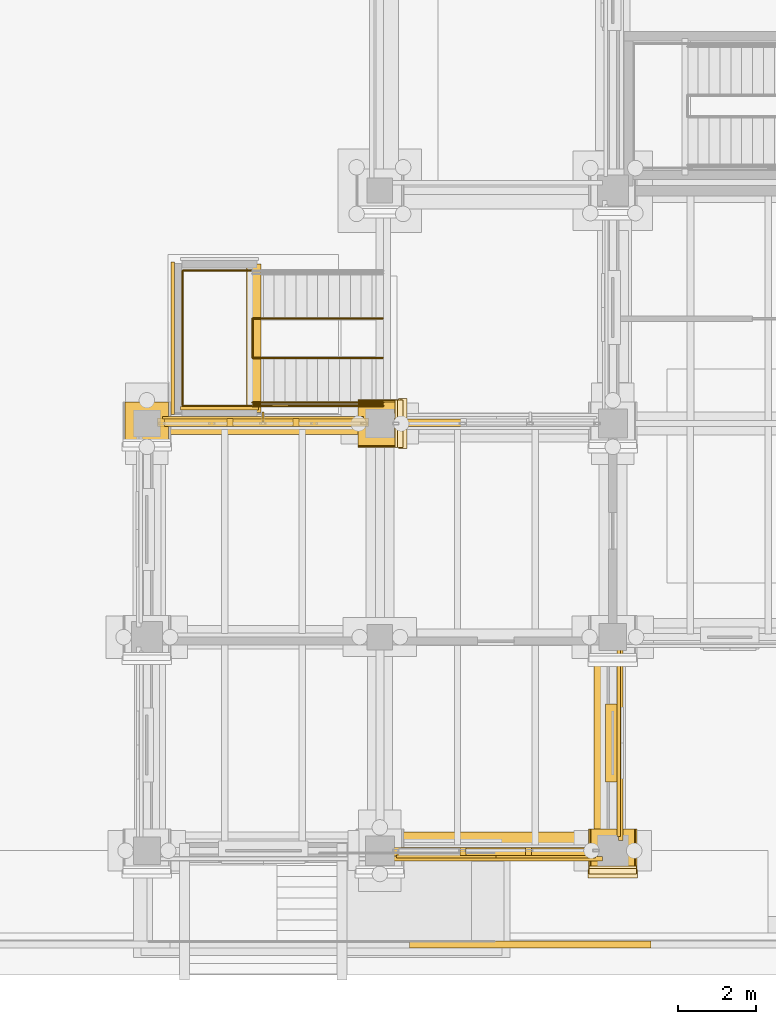
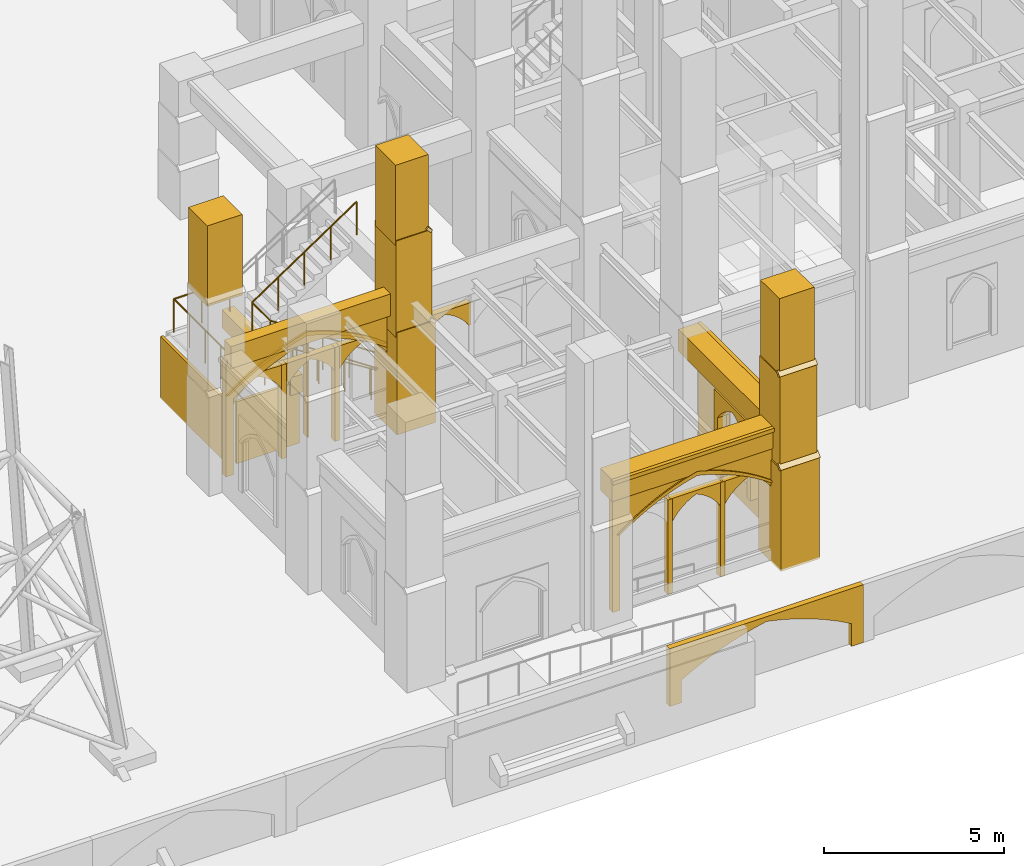
# One storey, part 104 of 135: 36 coverings, 4 railings, 1 shading device.
"""IFC4 building model written with IfcOpenShell, lengths in metres."""

from ifc_helpers import new_model, si_unit, direction, frame, origin, origin_2d, place, context, subcontext, project, spatial, polyline, rectangle, circle, outline, extrude, material, type_object, element, save


model = new_model("IFC4")

# Units and contexts
model_context = context("Model", 3, precision=1e-05, world=origin(), true_north=direction((0.0, 1.0)))
body_context = subcontext(model_context, "Body", "Model", "MODEL_VIEW")
ifc_project = project(units=[si_unit("LENGTHUNIT", "METRE"), si_unit("AREAUNIT", "SQUARE_METRE"), si_unit("VOLUMEUNIT", "CUBIC_METRE"), si_unit("PLANEANGLEUNIT", "RADIAN"), si_unit("MASSUNIT", "GRAM", prefix="KILO")], contexts=[model_context])

# Site, building, storey
site_placement = place(None, origin())
site = spatial("IfcSite", under=ifc_project, at=site_placement, CompositionType="ELEMENT")
building_placement = place(site_placement, origin())
building = spatial("IfcBuilding", under=site, at=building_placement, Name="Cumevento Cable Car Station", CompositionType="ELEMENT")
storey_placement = place(building_placement, origin())
storey = spatial("IfcBuildingStorey", under=building, at=storey_placement, Name="L01", CompositionType="ELEMENT", Elevation=0.0)

# Railings
ifc_material_1 = material(Name="Painted Galvanised Architectural Steel", Category="steel")
railing_type_1 = type_object("IfcRailingType", Name="Stair Guardrail GR-S115", PredefinedType="GUARDRAIL", material=ifc_material_1)
railing_1_placement = place(storey_placement, frame((112.080078125, 16.68994140625, 0.0)))
element("IfcRailing", 1, at=railing_1_placement, inside=storey, type_object=railing_type_1, Name="Stair Well Inner Guardrail ST-15", PredefinedType="GUARDRAIL", context=body_context, shape_type="SweptSolid", body=[
    extrude(circle(Radius=0.02392578125, at=origin_2d()), frame((0.0, 0.0, 1.1259765625), z_axis=(-0.830915400975, 0.0, 0.556398774641), x_axis=(0.0, -1.0, 0.0)), (0.0, 0.0, 1.0), 4.0439453125),
    extrude(circle(Radius=0.02392578125, at=origin_2d()), frame((-3.360107421875, 0.0, 3.3759765625), z_axis=(0.0, 1.0, 0.0), x_axis=(-1.0, 0.0, 0.0)), (0.0, 0.0, 1.0), 1.02001953125),
    extrude(circle(Radius=0.02392578125, at=origin_2d()), frame((-3.360107421875, 1.02001953125, 3.3759765625), z_axis=(0.830915400975, 0.0, 0.556398774641), x_axis=(0.0, 1.0, 0.0)), (0.0, 0.0, 1.0), 4.0439453125),
    extrude(circle(Radius=0.02001953125, at=origin_2d()), origin(), (0.0, 0.0, 1.0), 1.101806640625),
    extrude(circle(Radius=0.02001953125, at=origin_2d()), frame((-0.840087890625, 0.0, 0.5625)), (0.0, 0.0, 1.0), 1.101806640625),
    extrude(circle(Radius=0.02001953125, at=origin_2d()), frame((-1.68017578125, 0.0, 1.125)), (0.0, 0.0, 1.0), 1.101806640625),
    extrude(circle(Radius=0.02001953125, at=origin_2d()), frame((-2.52001953125, 0.0, 1.6875)), (0.0, 0.0, 1.0), 1.101806640625),
    extrude(circle(Radius=0.02001953125, at=origin_2d()), frame((-3.360107421875, 0.0, 2.25)), (0.0, 0.0, 1.0), 1.101806640625),
    extrude(circle(Radius=0.02001953125, at=origin_2d()), frame((-3.360107421875, 1.02001953125, 2.25)), (0.0, 0.0, 1.0), 1.101806640625),
    extrude(circle(Radius=0.02001953125, at=origin_2d()), frame((-2.52001953125, 1.02001953125, 2.8125)), (0.0, 0.0, 1.0), 1.101806640625),
    extrude(circle(Radius=0.02001953125, at=origin_2d()), frame((-1.68017578125, 1.02001953125, 3.375)), (0.0, 0.0, 1.0), 1.101806640625),
    extrude(circle(Radius=0.02001953125, at=origin_2d()), frame((-0.840087890625, 1.02001953125, 3.9375)), (0.0, 0.0, 1.0), 1.101806640625),
    extrude(circle(Radius=0.02001953125, at=origin_2d()), frame((0.0, 1.02001953125, 4.5)), (0.0, 0.0, 1.0), 1.101806640625),
])
railing_2_placement = place(storey_placement, frame((108.719970703125, 15.4599609375, 2.25)))
element("IfcRailing", 2, at=railing_2_placement, inside=storey, type_object=railing_type_1, Name="Stair Half-Landing Guardrail ST-15", PredefinedType="GUARDRAIL", context=body_context, shape_type="SweptSolid", body=[
    extrude(circle(Radius=0.02392578125, at=origin_2d()), frame((0.0, 0.0, 1.1259765625), z_axis=(-1.0, 0.0, 0.0), x_axis=(0.0, -1.0, 0.0)), (0.0, 0.0, 1.0), 1.800048828125),
    extrude(circle(Radius=0.02392578125, at=origin_2d()), frame((-1.800048828125, 0.0, 1.1259765625), z_axis=(0.0, 1.0, 0.0), x_axis=(-1.0, 0.0, 0.0)), (0.0, 0.0, 1.0), 3.47998046875),
    extrude(circle(Radius=0.02392578125, at=origin_2d()), frame((-1.800048828125, 3.47998046875, 1.1259765625), z_axis=(1.0, 0.0, 0.0), x_axis=(0.0, 1.0, 0.0)), (0.0, 0.0, 1.0), 1.800048828125),
    extrude(circle(Radius=0.02001953125, at=origin_2d()), origin(), (0.0, 0.0, 1.0), 1.101806640625),
    extrude(circle(Radius=0.02001953125, at=origin_2d()), frame((-0.89990234375, 0.0, 0.0)), (0.0, 0.0, 1.0), 1.101806640625),
    extrude(circle(Radius=0.02001953125, at=origin_2d()), frame((-1.800048828125, 0.0, 0.0)), (0.0, 0.0, 1.0), 1.101806640625),
    extrude(circle(Radius=0.02001953125, at=origin_2d()), frame((-1.800048828125, 0.8701171875, 0.0)), (0.0, 0.0, 1.0), 1.101806640625),
    extrude(circle(Radius=0.02001953125, at=origin_2d()), frame((-1.800048828125, 1.739990234375, 0.0)), (0.0, 0.0, 1.0), 1.101806640625),
    extrude(circle(Radius=0.02001953125, at=origin_2d()), frame((-1.800048828125, 2.60986328125, 0.0)), (0.0, 0.0, 1.0), 1.101806640625),
    extrude(circle(Radius=0.02001953125, at=origin_2d()), frame((-1.800048828125, 3.47998046875, 0.0)), (0.0, 0.0, 1.0), 1.101806640625),
    extrude(circle(Radius=0.02001953125, at=origin_2d()), frame((-0.89990234375, 3.47998046875, 0.0)), (0.0, 0.0, 1.0), 1.101806640625),
    extrude(circle(Radius=0.02001953125, at=origin_2d()), frame((0.0, 3.47998046875, 0.0)), (0.0, 0.0, 1.0), 1.101806640625),
])
railing_3_placement = place(storey_placement, frame((112.080078125, 15.4599609375, 0.0)))
element("IfcRailing", 3, at=railing_3_placement, inside=storey, type_object=railing_type_1, Name="Stair Outer Guardrail ST-15 F1", PredefinedType="GUARDRAIL", context=body_context, shape_type="SweptSolid", body=[
    extrude(circle(Radius=0.02392578125, at=origin_2d()), frame((0.0, 0.0, 1.1259765625), z_axis=(-0.830915400975, 0.0, 0.556398774641), x_axis=(0.0, -1.0, 0.0)), (0.0, 0.0, 1.0), 4.0439453125),
    extrude(circle(Radius=0.02001953125, at=origin_2d()), origin(), (0.0, 0.0, 1.0), 1.101806640625),
    extrude(circle(Radius=0.02001953125, at=origin_2d()), frame((-0.840087890625, 0.0, 0.5625)), (0.0, 0.0, 1.0), 1.101806640625),
    extrude(circle(Radius=0.02001953125, at=origin_2d()), frame((-1.68017578125, 0.0, 1.125)), (0.0, 0.0, 1.0), 1.101806640625),
    extrude(circle(Radius=0.02001953125, at=origin_2d()), frame((-2.52001953125, 0.0, 1.6875)), (0.0, 0.0, 1.0), 1.101806640625),
    extrude(circle(Radius=0.02001953125, at=origin_2d()), frame((-3.360107421875, 0.0, 2.25)), (0.0, 0.0, 1.0), 1.101806640625),
])
ifc_material_2 = material(Name="Brushed Stainless Steel Handrail Tube", Category="steel")
railing_type_2 = type_object("IfcRailingType", Name="Stair Handrail HR-090", PredefinedType="HANDRAIL", material=ifc_material_2)
railing_4_placement = place(storey_placement, frame((112.080078125, 15.5400390625, 0.17626953125)))
element("IfcRailing", 4, at=railing_4_placement, inside=storey, type_object=railing_type_2, Name="Stair Pitch Handrail ST-15 F1", PredefinedType="HANDRAIL", context=body_context, shape_type="SweptSolid", body=[
    extrude(circle(Radius=0.02099609375, at=origin_2d()), frame((0.0, 0.0, 0.87890625), z_axis=(-0.850623216509, 0.0, 0.525775754039), x_axis=(0.0, -1.0, 0.0)), (0.0, 0.0, 1.0), 3.9501953125),
    extrude(circle(Radius=0.01611328125, at=origin_2d()), origin(), (0.0, 0.0, 1.0), 0.85791015625),
    extrude(circle(Radius=0.01611328125, at=origin_2d()), frame((-0.840087890625, 0.0, 0.519287109375)), (0.0, 0.0, 1.0), 0.85791015625),
    extrude(circle(Radius=0.01611328125, at=origin_2d()), frame((-1.68017578125, 0.0, 1.03857421875)), (0.0, 0.0, 1.0), 0.85791015625),
    extrude(circle(Radius=0.01611328125, at=origin_2d()), frame((-2.52001953125, 0.0, 1.5576171875)), (0.0, 0.0, 1.0), 0.85791015625),
    extrude(circle(Radius=0.01611328125, at=origin_2d()), frame((-3.360107421875, 0.0, 2.076904296875)), (0.0, 0.0, 1.0), 0.85791015625),
])

# Shading device
ifc_material_3 = material(Name="Anodised Bronze Aluminium AW-6063-T6", Category="aluminium")
shading_device_type = type_object("IfcShadingDeviceType", Name="Bronze Lancet Brise-Soleil BS-01", PredefinedType="JALOUSIE", material=ifc_material_3)
shading_device_placement = place(storey_placement, frame((108.987548828125, 15.179931640625, 0.31005859375), z_axis=(0.0, 0.0, 1.0), x_axis=(1.0, 0.0, 0.0)))
element("IfcShadingDevice", 5, at=shading_device_placement, inside=storey, type_object=shading_device_type, Name="Bronze Lancet Solar Fin #7", PredefinedType="JALOUSIE", context=body_context, shape_type="SweptSolid", body=[
    extrude(rectangle(XDim=0.054931640625, YDim=0.239990234375, at=origin_2d()), origin(), (0.0, 0.0, 1.0), 3.532958984375),
])

# Coverings
ifc_material_4 = material(Name="Gnaisse Facoidal Stone Ashlar 85 MPa", Category="masonry")
covering_type = type_object("IfcCoveringType", Name="Gnaisse Ashlar Cladding CV-CL01", PredefinedType="CLADDING", material=ifc_material_4)
covering_1_placement = place(storey_placement, frame((106.0, 15.034912109375, 6.32373046875), z_axis=(0.0, 0.0, 1.0), x_axis=(1.0, 0.0, 0.0)))
element("IfcCovering", 6, at=covering_1_placement, inside=storey, type_object=covering_type, Name="Stepped Gothic Stone Buttress Tier 3 bt:106.0:15.0", PredefinedType="CLADDING", context=body_context, shape_type="SweptSolid", body=[
    extrude(rectangle(XDim=1.1201171875, YDim=1.050048828125, at=origin_2d()), origin(), (0.0, 0.0, 1.0), 2.736083984375),
])
covering_2_placement = place(storey_placement, frame((112.06005859375, 15.0, -0.06005859375), z_axis=(0.0, 0.0, 1.0), x_axis=(0.0, 1.0, 0.0)))
element("IfcCovering", 7, at=covering_2_placement, inside=storey, type_object=covering_type, Name="Stepped Gothic Stone Buttress Tier 1 bt:112.0:15.0", PredefinedType="CLADDING", context=body_context, shape_type="SweptSolid", body=[
    extrude(rectangle(XDim=1.239990234375, YDim=1.239990234375, at=origin_2d()), origin(), (0.0, 0.0, 1.0), 3.465576171875),
])
covering_3_placement = place(storey_placement, frame((112.699951171875, 14.360107421875, 3.385498046875), z_axis=(0.714474823669, 0.0, 0.699661151089), x_axis=(0.0, 1.0, 0.0)))
element("IfcCovering", 8, at=covering_3_placement, inside=storey, type_object=covering_type, Name="Gothic Buttress Sloped Stone Weathering 1 bt:112.0:15.0", PredefinedType="CLADDING", context=body_context, shape_type="SweptSolid", body=[
    extrude(outline(polyline([(0.0, 0.0), (1.27978515625, 0.0), (1.27978515625, 0.21424991728737658), (0.0, 0.21424991728737658), (0.0, 0.0)])), origin(), (0.0, 0.0, -1.0), 0.090087890625),
])
covering_4_placement = place(storey_placement, frame((112.010009765625, 15.0, 3.22314453125), z_axis=(0.0, 0.0, 1.0), x_axis=(0.0, 1.0, 0.0)))
element("IfcCovering", 9, at=covering_4_placement, inside=storey, type_object=covering_type, Name="Stepped Gothic Stone Buttress Tier 2 bt:112.0:15.0", PredefinedType="CLADDING", context=body_context, shape_type="SweptSolid", body=[
    extrude(rectangle(XDim=1.179931640625, YDim=1.139892578125, at=origin_2d()), origin(), (0.0, 0.0, 1.0), 3.283203125),
])
covering_5_placement = place(storey_placement, frame((112.60009765625, 14.389892578125, 6.486328125), z_axis=(0.715574205881, 0.0, 0.698536724788), x_axis=(0.0, 1.0, 0.0)))
element("IfcCovering", 10, at=covering_5_placement, inside=storey, type_object=covering_type, Name="Gothic Buttress Sloped Stone Weathering 2 bt:112.0:15.0", PredefinedType="CLADDING", context=body_context, shape_type="SweptSolid", body=[
    extrude(outline(polyline([(0.0, 0.0), (1.22021484375, 0.0), (1.22021484375, 0.2006146760464928), (0.0, 0.2006146760464928), (0.0, 0.0)])), origin(), (0.0, 0.0, -1.0), 0.090087890625),
])
covering_6_placement = place(storey_placement, frame((111.965087890625, 15.0, 6.32373046875), z_axis=(0.0, 0.0, 1.0), x_axis=(0.0, 1.0, 0.0)))
element("IfcCovering", 11, at=covering_6_placement, inside=storey, type_object=covering_type, Name="Stepped Gothic Stone Buttress Tier 3 bt:112.0:15.0", PredefinedType="CLADDING", context=body_context, shape_type="SweptSolid", body=[
    extrude(rectangle(XDim=1.1201171875, YDim=1.050048828125, at=origin_2d()), origin(), (0.0, 0.0, 1.0), 2.736083984375),
])
covering_7_placement = place(storey_placement, frame((118.0, 3.93994140625, -0.06005859375), z_axis=(0.0, 0.0, 1.0), x_axis=(1.0, 0.0, 0.0)))
element("IfcCovering", 12, at=covering_7_placement, inside=storey, type_object=covering_type, Name="Stepped Gothic Stone Buttress Tier 1 bt:118.0:4.0", PredefinedType="CLADDING", context=body_context, shape_type="SweptSolid", body=[
    extrude(rectangle(XDim=1.239990234375, YDim=1.239990234375, at=origin_2d()), origin(), (0.0, 0.0, 1.0), 3.465576171875),
])
covering_8_placement = place(storey_placement, frame((117.360107421875, 3.300048828125, 3.385498046875), z_axis=(0.0, -0.714474823669, 0.699661151089), x_axis=(1.0, 0.0, 0.0)))
element("IfcCovering", 13, at=covering_8_placement, inside=storey, type_object=covering_type, Name="Gothic Buttress Sloped Stone Weathering 1 bt:118.0:4.0", PredefinedType="CLADDING", context=body_context, shape_type="SweptSolid", body=[
    extrude(outline(polyline([(0.0, 0.0), (1.27978515625, 0.0), (1.27978515625, 0.21424991728737658), (0.0, 0.21424991728737658), (0.0, 0.0)])), origin(), (0.0, 0.0, -1.0), 0.090087890625),
])
covering_9_placement = place(storey_placement, frame((118.0, 3.989990234375, 3.22314453125), z_axis=(0.0, 0.0, 1.0), x_axis=(1.0, 0.0, 0.0)))
element("IfcCovering", 14, at=covering_9_placement, inside=storey, type_object=covering_type, Name="Stepped Gothic Stone Buttress Tier 2 bt:118.0:4.0", PredefinedType="CLADDING", context=body_context, shape_type="SweptSolid", body=[
    extrude(rectangle(XDim=1.179931640625, YDim=1.139892578125, at=origin_2d()), origin(), (0.0, 0.0, 1.0), 3.283203125),
])
covering_10_placement = place(storey_placement, frame((117.389892578125, 3.39990234375, 6.486328125), z_axis=(0.0, -0.715574205881, 0.698536724788), x_axis=(1.0, 0.0, 0.0)))
element("IfcCovering", 15, at=covering_10_placement, inside=storey, type_object=covering_type, Name="Gothic Buttress Sloped Stone Weathering 2 bt:118.0:4.0", PredefinedType="CLADDING", context=body_context, shape_type="SweptSolid", body=[
    extrude(outline(polyline([(0.0, 0.0), (1.22021484375, 0.0), (1.22021484375, 0.2006146760464928), (0.0, 0.2006146760464928), (0.0, 0.0)])), origin(), (0.0, 0.0, -1.0), 0.090087890625),
])
covering_11_placement = place(storey_placement, frame((118.0, 4.034912109375, 6.32373046875), z_axis=(0.0, 0.0, 1.0), x_axis=(1.0, 0.0, 0.0)))
element("IfcCovering", 16, at=covering_11_placement, inside=storey, type_object=covering_type, Name="Stepped Gothic Stone Buttress Tier 3 bt:118.0:4.0", PredefinedType="CLADDING", context=body_context, shape_type="SweptSolid", body=[
    extrude(rectangle(XDim=1.1201171875, YDim=1.050048828125, at=origin_2d()), origin(), (0.0, 0.0, 1.0), 2.736083984375),
])
covering_12_placement = place(storey_placement, frame((114.987548828125, 4.14990234375, 3.796875), z_axis=(0.0, 0.0, 1.0), x_axis=(-1.0, 0.0, 0.0)))
element("IfcCovering", 17, at=covering_12_placement, inside=storey, type_object=covering_type, Name="Gothic Stone Spandrel Stringcourse sc:0024", PredefinedType="CLADDING", context=body_context, shape_type="SweptSolid", body=[
    extrude(rectangle(XDim=5.465087890625, YDim=0.659912109375, at=origin_2d()), origin(), (0.0, 0.0, 1.0), 0.7470703125),
])
covering_13_placement = place(storey_placement, frame((114.987548828125, 3.79248046875, 4.4140625), z_axis=(0.0, 0.0, 1.0), x_axis=(-1.0, 0.0, 0.0)))
element("IfcCovering", 18, at=covering_13_placement, inside=storey, type_object=covering_type, Name="Gothic Cornice Dripstone Lip sc:0024", PredefinedType="CLADDING", context=body_context, shape_type="SweptSolid", body=[
    extrude(rectangle(XDim=5.5048828125, YDim=0.114990234375, at=origin_2d()), origin(), (0.0, 0.0, 1.0), 0.1298828125),
])
covering_14_placement = place(storey_placement, frame((108.987548828125, 14.909912109375, 3.782958984375), z_axis=(0.0, 0.0, 1.0), x_axis=(1.0, 0.0, 0.0)))
element("IfcCovering", 19, at=covering_14_placement, inside=storey, type_object=covering_type, Name="Gothic Stone Spandrel Stringcourse sc:0025", PredefinedType="CLADDING", context=body_context, shape_type="SweptSolid", body=[
    extrude(rectangle(XDim=5.3349609375, YDim=0.3798828125, at=origin_2d()), origin(), (0.0, 0.0, 1.0), 0.7470703125),
])
covering_15_placement = place(storey_placement, frame((117.85009765625, 6.77490234375, 3.760986328125), z_axis=(0.0, 0.0, 1.0), x_axis=(0.0, -1.0, 0.0)))
element("IfcCovering", 20, at=covering_15_placement, inside=storey, type_object=covering_type, Name="Gothic Stone Spandrel Stringcourse sc:0029", PredefinedType="CLADDING", context=body_context, shape_type="SweptSolid", body=[
    extrude(rectangle(XDim=4.989990234375, YDim=0.659912109375, at=origin_2d()), origin(), (0.0, 0.0, 1.0), 0.7470703125),
])
covering_16_placement = place(storey_placement, frame((118.20751953125, 6.77490234375, 4.378173828125), z_axis=(0.0, 0.0, 1.0), x_axis=(0.0, -1.0, 0.0)))
element("IfcCovering", 21, at=covering_16_placement, inside=storey, type_object=covering_type, Name="Gothic Cornice Dripstone Lip sc:0029", PredefinedType="CLADDING", context=body_context, shape_type="SweptSolid", body=[
    extrude(rectangle(XDim=5.030029296875, YDim=0.114990234375, at=origin_2d()), origin(), (0.0, 0.0, 1.0), 0.1298828125),
])
covering_17_placement = place(storey_placement, frame((108.75, 17.199951171875, 1.73291015625), z_axis=(0.0, 0.0, 1.0), x_axis=(0.0, 1.0, 0.0)))
element("IfcCovering", 22, at=covering_17_placement, inside=storey, type_object=covering_type, Name="Gothic Stone Spandrel Stringcourse sc:0849", PredefinedType="CLADDING", context=body_context, shape_type="SweptSolid", body=[
    extrude(rectangle(XDim=3.820068359375, YDim=0.3798828125, at=origin_2d()), origin(), (0.0, 0.0, 1.0), 0.60595703125),
])
placement_1 = place(storey_placement, frame((106.35009765625, 15.0, 0.0), z_axis=(0.0, 0.0, 1.0), x_axis=(1.0, 0.0, 0.0)))
element("IfcCovering", 23, at=placement_1, inside=storey, type_object=covering_type, Name="Gothic Ogival Pointed-Arch Stone Spandrel cw_ogival:0011", PredefinedType="CLADDING", context=body_context, shape_type="SweptSolid", body=[
    extrude(outline(polyline([(-0.080078125, 0.0), (-0.080078125, 3.923095703125), (5.35498046875, 3.923095703125), (5.35498046875, 0.0), (5.114990234375, 0.0), (5.114990234375, 2.571044921875), (4.833251953125, 2.76806640625), (4.5419921875, 2.95068359375), (4.241943359375, 3.11865234375), (3.93408203125, 3.271484375), (3.61865234375, 3.408447265625), (3.297119140625, 3.529541015625), (2.9697265625, 3.634521484375), (2.637451171875, 3.722900390625), (2.30517578125, 3.634521484375), (1.977783203125, 3.529541015625), (1.65625, 3.408447265625), (1.3408203125, 3.271484375), (1.032958984375, 3.11865234375), (0.73291015625, 2.95068359375), (0.441650390625, 2.76806640625), (0.159912109375, 2.571044921875), (0.159912109375, 0.0), (-0.080078125, 0.0)])), frame((0.0, 0.139892578125, 0.0), z_axis=(0.0, -1.0, 0.0), x_axis=(1.0, 0.0, 0.0)), (0.0, 0.0, 1.0), 0.219970703125),
])
covering_19_placement = place(storey_placement, frame((106.35009765625, 15.0, 2.571044921875), z_axis=(0.0, 0.0, 1.0), x_axis=(1.0, 0.0, 0.0)))
element("IfcCovering", 24, at=covering_19_placement, inside=storey, type_object=covering_type, Name="Gothic Pointed Archivolt Hood Moulding cw_ogival:0011", PredefinedType="CLADDING", context=body_context, shape_type="SweptSolid", body=[
    extrude(outline(polyline([(0.159912109375, 0.0), (0.441650390625, 0.197021484375), (0.73291015625, 0.379638671875), (1.032958984375, 0.547607421875), (1.3408203125, 0.700439453125), (1.65625, 0.83740234375), (1.977783203125, 0.95849609375), (2.30517578125, 1.0634765625), (2.637451171875, 1.15185546875), (2.9697265625, 1.0634765625), (3.297119140625, 0.95849609375), (3.61865234375, 0.83740234375), (3.93408203125, 0.700439453125), (4.241943359375, 0.547607421875), (4.5419921875, 0.379638671875), (4.833251953125, 0.197021484375), (5.114990234375, 0.0), (5.22509765625, 0.0), (4.934814453125, 0.219970703125), (4.63330078125, 0.424072265625), (4.3212890625, 0.61181640625), (4.0, 0.78271484375), (3.669921875, 0.9365234375), (3.332275390625, 1.072265625), (2.987548828125, 1.190185546875), (2.637451171875, 1.289306640625), (2.287353515625, 1.190185546875), (1.942626953125, 1.072265625), (1.60498046875, 0.9365234375), (1.27490234375, 0.78271484375), (0.95361328125, 0.61181640625), (0.6416015625, 0.424072265625), (0.340087890625, 0.219970703125), (0.050048828125, 0.0), (0.159912109375, 0.0)])), frame((0.0, 0.181884765625, 0.0), z_axis=(0.0, -1.0, 0.0), x_axis=(1.0, 0.0, 0.0)), (0.0, 0.0, 1.0), 0.06689453125),
])
element("IfcCovering", 25, at=placement_1, inside=storey, type_object=covering_type, Name="Gothic Bifora Stone Colonnette cw_ogival:0011 #1", PredefinedType="CLADDING", context=body_context, shape_type="SweptSolid", body=[
    extrude(outline(polyline([(1.711669921875, -0.02001953125), (1.861572265625, -0.02001953125), (1.861572265625, 3.170166015625), (1.711669921875, 3.170166015625), (1.711669921875, -0.02001953125)])), frame((0.0, 0.1279296875, 0.0), z_axis=(0.0, -1.0, 0.0), x_axis=(1.0, 0.0, 0.0)), (0.0, 0.0, 1.0), 0.205078125),
])
element("IfcCovering", 26, at=placement_1, inside=storey, type_object=covering_type, Name="Gothic Bifora Stone Colonnette cw_ogival:0011 #2", PredefinedType="CLADDING", context=body_context, shape_type="SweptSolid", body=[
    extrude(outline(polyline([(3.413330078125, -0.02001953125), (3.563232421875, -0.02001953125), (3.563232421875, 3.170166015625), (3.413330078125, 3.170166015625), (3.413330078125, -0.02001953125)])), frame((0.0, 0.1279296875, 0.0), z_axis=(0.0, -1.0, 0.0), x_axis=(1.0, 0.0, 0.0)), (0.0, 0.0, 1.0), 0.205078125),
])
for number, where, z_axis, x_axis, name in (
    (27, (106.47998046875, 15.0, 2.39111328125), (0.0, 0.0, 1.0), (1.0, 0.0, 0.0), "Gothic Ogival Pointed-Arch Stone Spandrel cw_ogival:0011:sub:0"),
    (28, (108.181640625, 15.0, 2.39111328125), (0.0, 0.0, 1.0), (1.0, 0.0, 0.0), "Gothic Ogival Pointed-Arch Stone Spandrel cw_ogival:0011:sub:1"),
    (29, (109.88330078125, 15.0, 2.39111328125), (0.0, 0.0, 1.0), (1.0, 0.0, 0.0), "Gothic Ogival Pointed-Arch Stone Spandrel cw_ogival:0011:sub:2"),
):
    element("IfcCovering", number, at=place(storey_placement, frame(where, z_axis=z_axis, x_axis=x_axis)), inside=storey, type_object=covering_type, Name=name, PredefinedType="CLADDING", context=body_context, shape_type="SweptSolid", body=[
        extrude(outline(polyline([(-0.02001953125, 0.0), (-0.02001953125, 0.779052734375), (1.631591796875, 0.779052734375), (1.631591796875, 0.0), (1.57177734375, 0.0), (1.4765625, 0.142578125), (1.36669921875, 0.27392578125), (1.242919921875, 0.392578125), (1.107177734375, 0.4970703125), (0.9609375, 0.586181640625), (0.805908203125, 0.658935546875), (0.650634765625, 0.586181640625), (0.50439453125, 0.4970703125), (0.36865234375, 0.392578125), (0.244873046875, 0.27392578125), (0.135009765625, 0.142578125), (0.0400390625, 0.0), (-0.02001953125, 0.0)])), frame((0.0, 0.1240234375, 0.0), z_axis=(0.0, -1.0, 0.0), x_axis=(1.0, 0.0, 0.0)), (0.0, 0.0, 1.0), 0.199951171875),
    ])
placement_2 = place(storey_placement, frame((117.60009765625, 4.0, 0.0), z_axis=(0.0, 0.0, 1.0), x_axis=(-1.0, 0.0, 0.0)))
element("IfcCovering", 30, at=placement_2, inside=storey, type_object=covering_type, Name="Gothic Ogival Pointed-Arch Stone Spandrel cw_ogival:0012", PredefinedType="CLADDING", context=body_context, shape_type="SweptSolid", body=[
    extrude(outline(polyline([(-0.080078125, 0.0), (-0.080078125, 3.93701171875), (5.304931640625, 3.93701171875), (5.304931640625, 0.0), (5.06494140625, 0.0), (5.06494140625, 2.59814453125), (4.7861328125, 2.79296875), (4.497802734375, 2.9736328125), (4.200927734375, 3.1396484375), (3.89599609375, 3.29052734375), (3.583984375, 3.42626953125), (3.265380859375, 3.5458984375), (2.94140625, 3.649658203125), (2.612548828125, 3.737060546875), (2.28369140625, 3.649658203125), (1.959716796875, 3.5458984375), (1.64111328125, 3.42626953125), (1.3291015625, 3.29052734375), (1.024169921875, 3.1396484375), (0.727294921875, 2.9736328125), (0.43896484375, 2.79296875), (0.159912109375, 2.59814453125), (0.159912109375, 0.0), (-0.080078125, 0.0)])), frame((0.0, 0.139892578125, 0.0), z_axis=(0.0, -1.0, 0.0), x_axis=(1.0, 0.0, 0.0)), (0.0, 0.0, 1.0), 0.219970703125),
])
covering_23_placement = place(storey_placement, frame((117.60009765625, 4.0, 2.59814453125), z_axis=(0.0, 0.0, 1.0), x_axis=(-1.0, 0.0, 0.0)))
element("IfcCovering", 31, at=covering_23_placement, inside=storey, type_object=covering_type, Name="Gothic Pointed Archivolt Hood Moulding cw_ogival:0012", PredefinedType="CLADDING", context=body_context, shape_type="SweptSolid", body=[
    extrude(outline(polyline([(0.159912109375, 0.0), (0.43896484375, 0.19482421875), (0.727294921875, 0.37548828125), (1.024169921875, 0.54150390625), (1.3291015625, 0.6923828125), (1.64111328125, 0.828125), (1.959716796875, 0.94775390625), (2.28369140625, 1.051513671875), (2.612548828125, 1.138916015625), (2.94140625, 1.051513671875), (3.265380859375, 0.94775390625), (3.583984375, 0.828125), (3.89599609375, 0.6923828125), (4.200927734375, 0.54150390625), (4.497802734375, 0.37548828125), (4.7861328125, 0.19482421875), (5.06494140625, 0.0), (5.175048828125, 0.0), (4.8876953125, 0.217529296875), (4.589111328125, 0.419677734375), (4.2802734375, 0.605712890625), (3.9619140625, 0.77490234375), (3.635009765625, 0.927001953125), (3.300537109375, 1.0615234375), (2.95947265625, 1.17822265625), (2.612548828125, 1.2763671875), (2.265625, 1.17822265625), (1.924560546875, 1.0615234375), (1.590087890625, 0.927001953125), (1.26318359375, 0.77490234375), (0.94482421875, 0.605712890625), (0.635986328125, 0.419677734375), (0.33740234375, 0.217529296875), (0.050048828125, 0.0), (0.159912109375, 0.0)])), frame((0.0, 0.181884765625, 0.0), z_axis=(0.0, -1.0, 0.0), x_axis=(1.0, 0.0, 0.0)), (0.0, 0.0, 1.0), 0.06689453125),
])
element("IfcCovering", 32, at=placement_2, inside=storey, type_object=covering_type, Name="Gothic Bifora Stone Colonnette cw_ogival:0012 #1", PredefinedType="CLADDING", context=body_context, shape_type="SweptSolid", body=[
    extrude(outline(polyline([(1.695068359375, -0.02001953125), (1.844970703125, -0.02001953125), (1.844970703125, 3.190185546875), (1.695068359375, 3.190185546875), (1.695068359375, -0.02001953125)])), frame((0.0, 0.1279296875, 0.0), z_axis=(0.0, -1.0, 0.0), x_axis=(1.0, 0.0, 0.0)), (0.0, 0.0, 1.0), 0.205078125),
])
element("IfcCovering", 33, at=placement_2, inside=storey, type_object=covering_type, Name="Gothic Bifora Stone Colonnette cw_ogival:0012 #2", PredefinedType="CLADDING", context=body_context, shape_type="SweptSolid", body=[
    extrude(outline(polyline([(3.3798828125, -0.02001953125), (3.530029296875, -0.02001953125), (3.530029296875, 3.190185546875), (3.3798828125, 3.190185546875), (3.3798828125, -0.02001953125)])), frame((0.0, 0.1279296875, 0.0), z_axis=(0.0, -1.0, 0.0), x_axis=(1.0, 0.0, 0.0)), (0.0, 0.0, 1.0), 0.205078125),
])
for number, where, z_axis, x_axis, name in (
    (34, (117.469970703125, 4.0, 2.418212890625), (0.0, 0.0, 1.0), (-1.0, 0.0, 0.0), "Gothic Ogival Pointed-Arch Stone Spandrel cw_ogival:0012:sub:0"),
    (35, (115.784912109375, 4.0, 2.418212890625), (0.0, 0.0, 1.0), (-1.0, 0.0, 0.0), "Gothic Ogival Pointed-Arch Stone Spandrel cw_ogival:0012:sub:1"),
):
    element("IfcCovering", number, at=place(storey_placement, frame(where, z_axis=z_axis, x_axis=x_axis)), inside=storey, type_object=covering_type, Name=name, PredefinedType="CLADDING", context=body_context, shape_type="SweptSolid", body=[
        extrude(outline(polyline([(-0.02001953125, 0.0), (-0.02001953125, 0.772216796875), (1.614990234375, 0.772216796875), (1.614990234375, 0.0), (1.554931640625, 0.0), (1.4609375, 0.14111328125), (1.352294921875, 0.271240234375), (1.22998046875, 0.388671875), (1.095703125, 0.491943359375), (0.950927734375, 0.580322265625), (0.797607421875, 0.652099609375), (0.64404296875, 0.580322265625), (0.499267578125, 0.491943359375), (0.364990234375, 0.388671875), (0.24267578125, 0.271240234375), (0.134033203125, 0.14111328125), (0.0400390625, 0.0), (-0.02001953125, 0.0)])), frame((0.0, 0.1240234375, 0.0), z_axis=(0.0, -1.0, 0.0), x_axis=(1.0, 0.0, 0.0)), (0.0, 0.0, 1.0), 0.199951171875),
    ])
covering_26_placement = place(storey_placement, frame((112.5048828125, 15.0, 2.4130859375), z_axis=(0.0, 0.0, 1.0), x_axis=(1.0, 0.0, 0.0)))
element("IfcCovering", 36, at=covering_26_placement, inside=storey, type_object=covering_type, Name="Gothic Ogival Pointed-Arch Stone Spandrel cw_ogival:0013:sub:0", PredefinedType="CLADDING", context=body_context, shape_type="SweptSolid", body=[
    extrude(outline(polyline([(-0.02001953125, 0.0), (-0.02001953125, 0.756103515625), (1.623291015625, 0.756103515625), (1.623291015625, 0.0), (1.563232421875, 0.0), (1.46728515625, 0.137939453125), (1.35693359375, 0.26513671875), (1.23388671875, 0.379638671875), (1.09912109375, 0.48046875), (0.95458984375, 0.566162109375), (0.8017578125, 0.63623046875), (0.648681640625, 0.566162109375), (0.504150390625, 0.48046875), (0.369384765625, 0.379638671875), (0.246337890625, 0.26513671875), (0.135986328125, 0.137939453125), (0.0400390625, 0.0), (-0.02001953125, 0.0)])), frame((0.0, 0.1240234375, 0.0), z_axis=(0.0, -1.0, 0.0), x_axis=(1.0, 0.0, 0.0)), (0.0, 0.0, 1.0), 0.199951171875),
])
covering_27_placement = place(storey_placement, frame((118.0, 9.14990234375, 0.0), z_axis=(0.0, 0.0, 1.0), x_axis=(0.0, -1.0, 0.0)))
element("IfcCovering", 37, at=covering_27_placement, inside=storey, type_object=covering_type, Name="Exterior Gnaisse Stone Wall Ashlar #124", PredefinedType="CLADDING", context=body_context, shape_type="SweptSolid", body=[
    extrude(outline(polyline([(-0.0400390625, -0.02001953125), (4.7900390625, -0.02001953125), (4.7900390625, 3.841064453125), (-0.0400390625, 3.841064453125), (-0.0400390625, -0.02001953125)]), holes=[polyline([(1.56005859375, 0.760009765625), (3.18994140625, 0.760009765625), (3.18994140625, 3.0400390625), (1.56005859375, 3.0400390625), (1.56005859375, 0.760009765625)])]), frame((0.0, 0.1923828125, 0.0), z_axis=(0.0, -1.0, 0.0), x_axis=(1.0, 0.0, 0.0)), (0.0, 0.0, 1.0), 0.0849609375),
])
covering_28_placement = place(storey_placement, frame((118.0, 7.739990234375, 0.699951171875), z_axis=(0.0, 0.0, 1.0), x_axis=(0.0, -1.0, 0.0)))
element("IfcCovering", 38, at=covering_28_placement, inside=storey, type_object=covering_type, Name="Gothic Ogival Pointed-Arch Stone Spandrel op_ogival:0124:1", PredefinedType="CLADDING", context=body_context, shape_type="SweptSolid", body=[
    extrude(outline(polyline([(-0.0400390625, 0.0), (-0.0400390625, 2.570068359375), (1.969970703125, 2.570068359375), (1.969970703125, 0.0), (1.7900390625, 0.0), (1.7900390625, 1.7060546875), (1.701416015625, 1.833984375), (1.6015625, 1.953369140625), (1.4912109375, 2.063232421875), (1.371337890625, 2.16259765625), (1.242919921875, 2.250732421875), (1.107177734375, 2.32666015625), (0.965087890625, 2.39013671875), (0.82275390625, 2.32666015625), (0.68701171875, 2.250732421875), (0.55859375, 2.16259765625), (0.438720703125, 2.063232421875), (0.328369140625, 1.953369140625), (0.228515625, 1.833984375), (0.139892578125, 1.7060546875), (0.139892578125, 0.0), (-0.0400390625, 0.0)])), frame((0.0, 0.23046875, 0.0), z_axis=(0.0, -1.0, 0.0), x_axis=(1.0, 0.0, 0.0)), (0.0, 0.0, 1.0), 0.4150390625),
])
covering_29_placement = place(storey_placement, frame((106.780029296875, 15.280029296875, 0.0), z_axis=(0.0, 0.0, 1.0), x_axis=(0.0, 1.0, 0.0)))
element("IfcCovering", 39, at=covering_29_placement, inside=storey, type_object=covering_type, Name="Exterior Gnaisse Stone Wall Ashlar #313", PredefinedType="CLADDING", context=body_context, shape_type="SweptSolid", body=[
    extrude(outline(polyline([(-0.0400390625, -0.02001953125), (3.8798828125, -0.02001953125), (3.8798828125, 2.0791015625), (-0.0400390625, 2.0791015625), (-0.0400390625, -0.02001953125)])), frame((0.0, 0.159912109375, 0.0), z_axis=(0.0, -1.0, 0.0), x_axis=(1.0, 0.0, 0.0)), (0.0, 0.0, 1.0), 0.0849609375),
])
covering_30_placement = place(storey_placement, frame((106.89990234375, 15.280029296875, 0.0), z_axis=(0.0, 0.0, 1.0), x_axis=(1.0, 0.0, 0.0)))
element("IfcCovering", 40, at=covering_30_placement, inside=storey, type_object=covering_type, Name="Exterior Gnaisse Stone Wall Ashlar #314", PredefinedType="CLADDING", context=body_context, shape_type="SweptSolid", body=[
    extrude(outline(polyline([(-0.0400390625, -0.02001953125), (1.97998046875, -0.02001953125), (1.97998046875, 2.0791015625), (-0.0400390625, 2.0791015625), (-0.0400390625, -0.02001953125)])), frame((0.0, 0.159912109375, 0.0), z_axis=(0.0, -1.0, 0.0), x_axis=(1.0, 0.0, 0.0)), (0.0, 0.0, 1.0), 0.0849609375),
])
covering_31_placement = place(storey_placement, frame((118.95751953125, 1.64990234375, -1.919921875), z_axis=(0.0, 0.0, 1.0), x_axis=(-1.0, 0.0, 0.0)))
element("IfcCovering", 41, at=covering_31_placement, inside=storey, type_object=covering_type, Name="Gothic Ogival Pointed-Arch Stone Spandrel cumevento_plinth:plinth_arch:S:18", PredefinedType="CLADDING", context=body_context, shape_type="SweptSolid", body=[
    extrude(outline(polyline([(-0.02001953125, 0.0), (-0.02001953125, 1.9599609375), (6.194091796875, 1.9599609375), (6.194091796875, 0.0), (5.81396484375, 0.0), (5.81396484375, 0.77001953125), (5.3857421875, 1.00390625), (4.945068359375, 1.213623046875), (4.493408203125, 1.3984375), (4.0322265625, 1.558349609375), (3.56298828125, 1.692138671875), (3.087158203125, 1.800048828125), (2.611083984375, 1.692138671875), (2.141845703125, 1.558349609375), (1.6806640625, 1.3984375), (1.22900390625, 1.213623046875), (0.788330078125, 1.00390625), (0.360107421875, 0.77001953125), (0.360107421875, 0.0), (-0.02001953125, 0.0)])), frame((0.0, 0.14990234375, 0.0), z_axis=(0.0, -1.0, 0.0), x_axis=(1.0, 0.0, 0.0)), (0.0, 0.0, 1.0), 0.179931640625),
])

save(model, "model.ifc")
